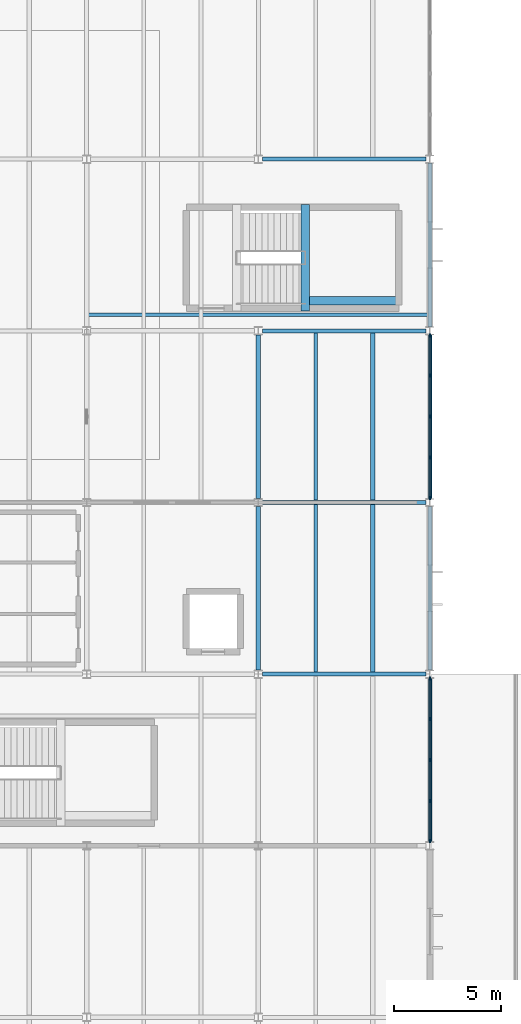
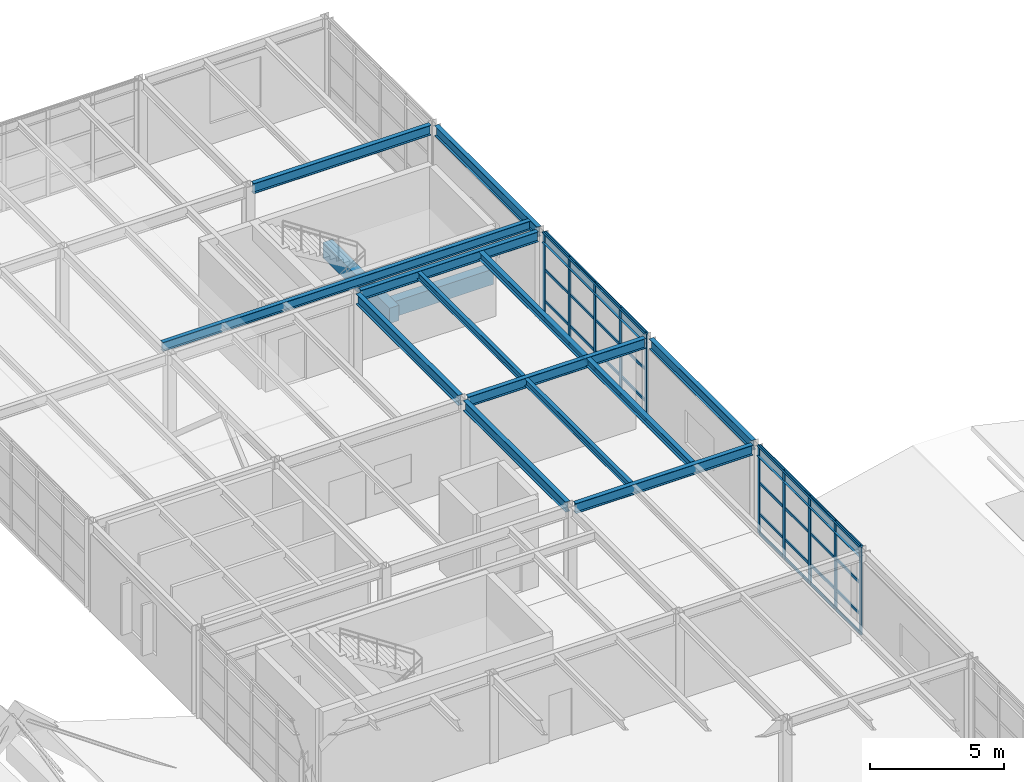
# One storey, part 29 of 50: 42 members, 17 beams, 2 elements without a shape of their own.
"""IFC4 building model written with IfcOpenShell, lengths in metres."""

from ifc_helpers import new_model, si_unit, direction, frame, origin, origin_2d, place, context, subcontext, project, spatial, rectangle, i_section, extrude, material, layer, layer_set, material_profile, profile_set, type_object, element, aggregate, save


model = new_model("IFC4")

# Units and contexts
model_context = context("Model", 3, precision=1e-05, world=origin(), true_north=direction((0.0, 1.0)))
body_context = subcontext(model_context, "Body", "Model", "MODEL_VIEW")
ifc_project = project(units=[si_unit("LENGTHUNIT", "METRE"), si_unit("AREAUNIT", "SQUARE_METRE"), si_unit("VOLUMEUNIT", "CUBIC_METRE"), si_unit("PLANEANGLEUNIT", "RADIAN"), si_unit("MASSUNIT", "GRAM", prefix="KILO")], contexts=[model_context])

# Site, building, storey
site_placement = place(None, origin())
site = spatial("IfcSite", under=ifc_project, at=site_placement, CompositionType="ELEMENT")
building_placement = place(site_placement, origin())
building = spatial("IfcBuilding", under=site, at=building_placement, Name="Varnela Railside Interchange", CompositionType="ELEMENT")
storey_placement = place(building_placement, frame((0.0, 0.0, 15.39990234375)))
storey = spatial("IfcBuildingStorey", under=building, at=storey_placement, Name="L03", CompositionType="ELEMENT", Elevation=15.39990234375)

# Beams
ifc_material_1 = material(Name="Steel AR 350 (350 MPa)", Category="steel")
ifc_material_profile_1 = material_profile(ifc_material_1, i_section(OverallWidth=0.1650390625, OverallDepth=0.31005859375, WebThickness=0.005859375, FlangeThickness=0.009765625, at=origin_2d()), Name="W310x38.7")
ifc_profile_set_1 = profile_set([ifc_material_profile_1], Name="Steel AR 350 (350 MPa)")
beam_type_1 = type_object("IfcBeamType", Name="Composite Floor Joist J-04", PredefinedType="JOIST", material=ifc_profile_set_1)
for number, where, z_axis, x_axis, name in (
    (1, (134.669921875, 62.1044921875, 3.84521484375), (0.0, 1.0, 0.0), (-1.0, 0.0, 0.0), "Composite Floor Joist J-04 (L03) (BM-2163)"),
    (2, (134.669921875, 70.1044921875, 3.84521484375), (0.0, 1.0, 0.0), (-1.0, 0.0, 0.0), "Composite Floor Joist J-04 (L03) (BM-2165)"),
):
    element("IfcBeam", number, at=place(storey_placement, frame(where, z_axis=z_axis, x_axis=x_axis)), inside=storey, type_object=beam_type_1, Name=name, PredefinedType="JOIST", context=body_context, shape_type="SweptSolid", body=[
        extrude(i_section(OverallWidth=0.1650390625, OverallDepth=0.31005859375, WebThickness=0.005859375, FlangeThickness=0.009765625, at=origin_2d()), origin(), (0.0, 0.0, 1.0), 7.791015625),
    ])
ifc_material_profile_2 = material_profile(ifc_material_1, i_section(OverallWidth=0.202880859375, OverallDepth=0.346923828125, WebThickness=0.0078125, FlangeThickness=0.013427734375, at=origin_2d()), Name="W360x64")
ifc_profile_set_2 = profile_set([ifc_material_profile_2], Name="Steel AR 350 (350 MPa)")
beam_type_2 = type_object("IfcBeamType", Name="Composite Heavy Joist J-01", PredefinedType="JOIST", material=ifc_profile_set_2)
for number, where, z_axis, x_axis, name in (
    (3, (137.330078125, 62.1044921875, 3.82666015625), (0.0, 1.0, 0.0), (-1.0, 0.0, 0.0), "Composite Heavy Joist J-01 (L03) (BM-2164)"),
    (4, (137.330078125, 70.1044921875, 3.82666015625), (0.0, 1.0, 0.0), (-1.0, 0.0, 0.0), "Composite Heavy Joist J-01 (L03) (BM-2166)"),
):
    element("IfcBeam", number, at=place(storey_placement, frame(where, z_axis=z_axis, x_axis=x_axis)), inside=storey, type_object=beam_type_2, Name=name, PredefinedType="JOIST", context=body_context, shape_type="SweptSolid", body=[
        extrude(i_section(OverallWidth=0.202880859375, OverallDepth=0.346923828125, WebThickness=0.0078125, FlangeThickness=0.013427734375, at=origin_2d()), origin(), (0.0, 0.0, 1.0), 7.791015625),
    ])
ifc_material_profile_3 = material_profile(ifc_material_1, i_section(OverallWidth=0.194091796875, OverallDepth=0.468994140625, WebThickness=0.0126953125, FlangeThickness=0.0205078125, at=origin_2d()), Name="W460x106")
ifc_profile_set_3 = profile_set([ifc_material_profile_3], Name="Steel AR 350 (350 MPa)")
beam_type_3 = type_object("IfcBeamType", Name="Composite Primary Beam B-19", PredefinedType="BEAM", material=ifc_profile_set_3)
for number, where, z_axis, x_axis, name in (
    (5, (132.0, 62.18408203125, 3.765625), (0.0, 1.0, 0.0), (-1.0, 0.0, 0.0), "Composite Primary Beam B-19 (L03) (BM-2292)"),
    (6, (132.0, 70.18408203125, 3.765625), (0.0, 1.0, 0.0), (-1.0, 0.0, 0.0), "Composite Primary Beam B-19 (L03) (BM-2293)"),
):
    element("IfcBeam", number, at=place(storey_placement, frame(where, z_axis=z_axis, x_axis=x_axis)), inside=storey, type_object=beam_type_3, Name=name, PredefinedType="BEAM", context=body_context, shape_type="SweptSolid", body=[
        extrude(i_section(OverallWidth=0.194091796875, OverallDepth=0.468994140625, WebThickness=0.0126953125, FlangeThickness=0.0205078125, at=origin_2d()), origin(), (0.0, 0.0, 1.0), 7.6318359375),
    ])
ifc_material_2 = material(Name="Concrete C40", Category="concrete")
ifc_material_profile_4 = material_profile(ifc_material_2, rectangle(XDim=0.39990234375, YDim=0.699951171875, at=origin_2d()), Name="RC 400x700")
ifc_profile_set_4 = profile_set([ifc_material_profile_4], Name="Concrete C40")
beam_type_4 = type_object("IfcBeamType", Name="Concrete Tie Beam B-01", PredefinedType="BEAM", material=ifc_profile_set_4)
beam_1_placement = place(storey_placement, frame((134.18994140625, 78.919921875, 1.590087890625), z_axis=(0.0, 1.0, 0.0), x_axis=(-1.0, 0.0, 0.0)))
element("IfcBeam", 7, at=beam_1_placement, inside=storey, type_object=beam_type_4, Name="Concrete Tie Beam B-01 (L03) (BM-2355)", PredefinedType="BEAM", context=body_context, shape_type="SweptSolid", body=[
    extrude(rectangle(XDim=0.39990234375, YDim=0.699951171875, at=origin_2d()), origin(), (0.0, 0.0, 1.0), 4.9599609375),
])
beam_2_placement = place(storey_placement, frame((134.389892578125, 79.39990234375, 1.590087890625), z_axis=(1.0, 0.0, 0.0), x_axis=(0.0, 1.0, 0.0)))
element("IfcBeam", 8, at=beam_2_placement, inside=storey, type_object=beam_type_4, Name="Concrete Tie Beam B-01 (L03) (BM-2349)", PredefinedType="BEAM", context=body_context, shape_type="SweptSolid", body=[
    extrude(rectangle(XDim=0.39990234375, YDim=0.699951171875, at=origin_2d()), origin(), (0.0, 0.0, 1.0), 4.230224609375),
])

# Curtain wall, members
ifc_material_3 = material(Name="Aluminium 6063-T6", Category="aluminium")
ifc_layer = layer(ifc_material_3, 0.035888671875)
ifc_layer_set = layer_set([ifc_layer], Name="Aluminium 6063-T6")
curtain_wall_type = type_object("IfcCurtainWallType", Name="Study Pavilion Gallery Curtain Wall CW-02", PredefinedType="USERDEFINED", material=ifc_layer_set)
curtain_wall_1_placement = place(storey_placement, origin())
curtain_wall_1 = element("IfcCurtainWall", 9, at=curtain_wall_1_placement, inside=storey, type_object=curtain_wall_type, Name="Curtain Wall CW-02 (L03) (CW-096)", ObjectType="CURTAIN WALL", PredefinedType="USERDEFINED")
ifc_material_profile_5 = material_profile(ifc_material_3, rectangle(XDim=0.06005859375, YDim=0.159912109375, at=origin_2d()), Name="ALU 60x160")
ifc_profile_set_5 = profile_set([ifc_material_profile_5], Name="Aluminium 6063-T6")
member_type_1 = type_object("IfcMemberType", Name="Curtain Wall Mullion ML-02", PredefinedType="MULLION", material=ifc_profile_set_5)
member_1_placement = place(storey_placement, frame((140.0, 77.785888671875, 0.0), z_axis=(0.0, 0.0, 1.0), x_axis=(1.0, 0.0, 0.0)))
member_1 = element("IfcMember", 10, at=member_1_placement, type_object=member_type_1, Name="CW-02 mullion 1", PredefinedType="MULLION", context=body_context, shape_type="SweptSolid", body=[
    extrude(rectangle(XDim=0.06005859375, YDim=0.159912109375, at=origin_2d()), origin(), (0.0, 0.0, 1.0), 4.0),
])
member_2_placement = place(storey_placement, frame((140.0, 75.907958984375, 0.0), z_axis=(0.0, 0.0, 1.0), x_axis=(1.0, 0.0, 0.0)))
member_2 = element("IfcMember", 11, at=member_2_placement, type_object=member_type_1, Name="CW-02 mullion 2", PredefinedType="MULLION", context=body_context, shape_type="SweptSolid", body=[
    extrude(rectangle(XDim=0.06005859375, YDim=0.159912109375, at=origin_2d()), origin(), (0.0, 0.0, 1.0), 4.0),
])
member_3_placement = place(storey_placement, frame((140.0, 74.0, 0.0), z_axis=(0.0, 0.0, 1.0), x_axis=(1.0, 0.0, 0.0)))
member_3 = element("IfcMember", 12, at=member_3_placement, type_object=member_type_1, Name="CW-02 mullion 3", PredefinedType="MULLION", context=body_context, shape_type="SweptSolid", body=[
    extrude(rectangle(XDim=0.06005859375, YDim=0.159912109375, at=origin_2d()), origin(), (0.0, 0.0, 1.0), 4.0),
])
member_4_placement = place(storey_placement, frame((140.0, 72.092041015625, 0.0), z_axis=(0.0, 0.0, 1.0), x_axis=(1.0, 0.0, 0.0)))
member_4 = element("IfcMember", 13, at=member_4_placement, type_object=member_type_1, Name="CW-02 mullion 4", PredefinedType="MULLION", context=body_context, shape_type="SweptSolid", body=[
    extrude(rectangle(XDim=0.06005859375, YDim=0.159912109375, at=origin_2d()), origin(), (0.0, 0.0, 1.0), 4.0),
])
member_5_placement = place(storey_placement, frame((140.0, 70.214111328125, 0.0), z_axis=(0.0, 0.0, 1.0), x_axis=(1.0, 0.0, 0.0)))
member_5 = element("IfcMember", 14, at=member_5_placement, type_object=member_type_1, Name="CW-02 mullion 5", PredefinedType="MULLION", context=body_context, shape_type="SweptSolid", body=[
    extrude(rectangle(XDim=0.06005859375, YDim=0.159912109375, at=origin_2d()), origin(), (0.0, 0.0, 1.0), 4.0),
])

curtain_wall_2_placement = place(storey_placement, origin())
curtain_wall_2 = element("IfcCurtainWall", 15, at=curtain_wall_2_placement, inside=storey, type_object=curtain_wall_type, Name="Curtain Wall CW-02 (L03) (CW-097)", ObjectType="CURTAIN WALL", PredefinedType="USERDEFINED")
member_6_placement = place(storey_placement, frame((140.0, 61.785888671875, 0.0), z_axis=(0.0, 0.0, 1.0), x_axis=(1.0, 0.0, 0.0)))
member_6 = element("IfcMember", 16, at=member_6_placement, type_object=member_type_1, Name="CW-02 mullion 1", PredefinedType="MULLION", context=body_context, shape_type="SweptSolid", body=[
    extrude(rectangle(XDim=0.06005859375, YDim=0.159912109375, at=origin_2d()), origin(), (0.0, 0.0, 1.0), 4.0),
])
member_7_placement = place(storey_placement, frame((140.0, 59.907958984375, 0.0), z_axis=(0.0, 0.0, 1.0), x_axis=(1.0, 0.0, 0.0)))
member_7 = element("IfcMember", 17, at=member_7_placement, type_object=member_type_1, Name="CW-02 mullion 2", PredefinedType="MULLION", context=body_context, shape_type="SweptSolid", body=[
    extrude(rectangle(XDim=0.06005859375, YDim=0.159912109375, at=origin_2d()), origin(), (0.0, 0.0, 1.0), 4.0),
])
member_8_placement = place(storey_placement, frame((140.0, 58.0, 0.0), z_axis=(0.0, 0.0, 1.0), x_axis=(1.0, 0.0, 0.0)))
member_8 = element("IfcMember", 18, at=member_8_placement, type_object=member_type_1, Name="CW-02 mullion 3", PredefinedType="MULLION", context=body_context, shape_type="SweptSolid", body=[
    extrude(rectangle(XDim=0.06005859375, YDim=0.159912109375, at=origin_2d()), origin(), (0.0, 0.0, 1.0), 4.0),
])
member_9_placement = place(storey_placement, frame((140.0, 56.092041015625, 0.0), z_axis=(0.0, 0.0, 1.0), x_axis=(1.0, 0.0, 0.0)))
member_9 = element("IfcMember", 19, at=member_9_placement, type_object=member_type_1, Name="CW-02 mullion 4", PredefinedType="MULLION", context=body_context, shape_type="SweptSolid", body=[
    extrude(rectangle(XDim=0.06005859375, YDim=0.159912109375, at=origin_2d()), origin(), (0.0, 0.0, 1.0), 4.0),
])
member_10_placement = place(storey_placement, frame((140.0, 54.214111328125, 0.0), z_axis=(0.0, 0.0, 1.0), x_axis=(1.0, 0.0, 0.0)))
member_10 = element("IfcMember", 20, at=member_10_placement, type_object=member_type_1, Name="CW-02 mullion 5", PredefinedType="MULLION", context=body_context, shape_type="SweptSolid", body=[
    extrude(rectangle(XDim=0.06005859375, YDim=0.159912109375, at=origin_2d()), origin(), (0.0, 0.0, 1.0), 4.0),
])

# Member
ifc_material_profile_6 = material_profile(ifc_material_3, rectangle(XDim=0.06005859375, YDim=0.1201171875, at=origin_2d()), Name="ALU 60x120")
ifc_profile_set_6 = profile_set([ifc_material_profile_6], Name="Aluminium 6063-T6")
member_type_2 = type_object("IfcMemberType", Name="Curtain Wall Transom TR-02", PredefinedType="USERDEFINED", material=ifc_profile_set_6)
member_11_placement = place(storey_placement, frame((140.0, 77.756103515625, 0.030029296875), z_axis=(0.0, -1.0, 0.0), x_axis=(1.0, 0.0, 0.0)))
member_11 = element("IfcMember", 21, at=member_11_placement, type_object=member_type_2, Name="CW-02 transom 1.1", ObjectType="TRANSOM", PredefinedType="USERDEFINED", context=body_context, shape_type="SweptSolid", body=[
    extrude(rectangle(XDim=0.06005859375, YDim=0.1201171875, at=origin_2d()), origin(), (0.0, 0.0, 1.0), 1.818115234375),
])

member_12_placement = place(storey_placement, frame((140.0, 77.756103515625, 0.900146484375), z_axis=(0.0, -1.0, 0.0), x_axis=(1.0, 0.0, 0.0)))
member_12 = element("IfcMember", 22, at=member_12_placement, type_object=member_type_2, Name="CW-02 transom 1.2", ObjectType="TRANSOM", PredefinedType="USERDEFINED", context=body_context, shape_type="SweptSolid", body=[
    extrude(rectangle(XDim=0.06005859375, YDim=0.1201171875, at=origin_2d()), origin(), (0.0, 0.0, 1.0), 1.818115234375),
])

member_13_placement = place(storey_placement, frame((140.0, 77.756103515625, 2.320068359375), z_axis=(0.0, -1.0, 0.0), x_axis=(1.0, 0.0, 0.0)))
member_13 = element("IfcMember", 23, at=member_13_placement, type_object=member_type_2, Name="CW-02 transom 1.3", ObjectType="TRANSOM", PredefinedType="USERDEFINED", context=body_context, shape_type="SweptSolid", body=[
    extrude(rectangle(XDim=0.06005859375, YDim=0.1201171875, at=origin_2d()), origin(), (0.0, 0.0, 1.0), 1.818115234375),
])

member_14_placement = place(storey_placement, frame((140.0, 77.756103515625, 3.97021484375), z_axis=(0.0, -1.0, 0.0), x_axis=(1.0, 0.0, 0.0)))
member_14 = element("IfcMember", 24, at=member_14_placement, type_object=member_type_2, Name="CW-02 transom 1.4", ObjectType="TRANSOM", PredefinedType="USERDEFINED", context=body_context, shape_type="SweptSolid", body=[
    extrude(rectangle(XDim=0.06005859375, YDim=0.1201171875, at=origin_2d()), origin(), (0.0, 0.0, 1.0), 1.818115234375),
])

member_15_placement = place(storey_placement, frame((140.0, 75.8779296875, 0.030029296875), z_axis=(0.0, -1.0, 0.0), x_axis=(1.0, 0.0, 0.0)))
member_15 = element("IfcMember", 25, at=member_15_placement, type_object=member_type_2, Name="CW-02 transom 2.1", ObjectType="TRANSOM", PredefinedType="USERDEFINED", context=body_context, shape_type="SweptSolid", body=[
    extrude(rectangle(XDim=0.06005859375, YDim=0.1201171875, at=origin_2d()), origin(), (0.0, 0.0, 1.0), 1.847900390625),
])

member_16_placement = place(storey_placement, frame((140.0, 75.8779296875, 0.900146484375), z_axis=(0.0, -1.0, 0.0), x_axis=(1.0, 0.0, 0.0)))
member_16 = element("IfcMember", 26, at=member_16_placement, type_object=member_type_2, Name="CW-02 transom 2.2", ObjectType="TRANSOM", PredefinedType="USERDEFINED", context=body_context, shape_type="SweptSolid", body=[
    extrude(rectangle(XDim=0.06005859375, YDim=0.1201171875, at=origin_2d()), origin(), (0.0, 0.0, 1.0), 1.847900390625),
])

member_17_placement = place(storey_placement, frame((140.0, 75.8779296875, 2.320068359375), z_axis=(0.0, -1.0, 0.0), x_axis=(1.0, 0.0, 0.0)))
member_17 = element("IfcMember", 27, at=member_17_placement, type_object=member_type_2, Name="CW-02 transom 2.3", ObjectType="TRANSOM", PredefinedType="USERDEFINED", context=body_context, shape_type="SweptSolid", body=[
    extrude(rectangle(XDim=0.06005859375, YDim=0.1201171875, at=origin_2d()), origin(), (0.0, 0.0, 1.0), 1.847900390625),
])

member_18_placement = place(storey_placement, frame((140.0, 75.8779296875, 3.97021484375), z_axis=(0.0, -1.0, 0.0), x_axis=(1.0, 0.0, 0.0)))
member_18 = element("IfcMember", 28, at=member_18_placement, type_object=member_type_2, Name="CW-02 transom 2.4", ObjectType="TRANSOM", PredefinedType="USERDEFINED", context=body_context, shape_type="SweptSolid", body=[
    extrude(rectangle(XDim=0.06005859375, YDim=0.1201171875, at=origin_2d()), origin(), (0.0, 0.0, 1.0), 1.847900390625),
])

member_19_placement = place(storey_placement, frame((140.0, 73.969970703125, 0.030029296875), z_axis=(0.0, -1.0, 0.0), x_axis=(1.0, 0.0, 0.0)))
member_19 = element("IfcMember", 29, at=member_19_placement, type_object=member_type_2, Name="CW-02 transom 3.1", ObjectType="TRANSOM", PredefinedType="USERDEFINED", context=body_context, shape_type="SweptSolid", body=[
    extrude(rectangle(XDim=0.06005859375, YDim=0.1201171875, at=origin_2d()), origin(), (0.0, 0.0, 1.0), 1.847900390625),
])

member_20_placement = place(storey_placement, frame((140.0, 73.969970703125, 0.900146484375), z_axis=(0.0, -1.0, 0.0), x_axis=(1.0, 0.0, 0.0)))
member_20 = element("IfcMember", 30, at=member_20_placement, type_object=member_type_2, Name="CW-02 transom 3.2", ObjectType="TRANSOM", PredefinedType="USERDEFINED", context=body_context, shape_type="SweptSolid", body=[
    extrude(rectangle(XDim=0.06005859375, YDim=0.1201171875, at=origin_2d()), origin(), (0.0, 0.0, 1.0), 1.847900390625),
])

member_21_placement = place(storey_placement, frame((140.0, 73.969970703125, 2.320068359375), z_axis=(0.0, -1.0, 0.0), x_axis=(1.0, 0.0, 0.0)))
member_21 = element("IfcMember", 31, at=member_21_placement, type_object=member_type_2, Name="CW-02 transom 3.3", ObjectType="TRANSOM", PredefinedType="USERDEFINED", context=body_context, shape_type="SweptSolid", body=[
    extrude(rectangle(XDim=0.06005859375, YDim=0.1201171875, at=origin_2d()), origin(), (0.0, 0.0, 1.0), 1.847900390625),
])

member_22_placement = place(storey_placement, frame((140.0, 73.969970703125, 3.97021484375), z_axis=(0.0, -1.0, 0.0), x_axis=(1.0, 0.0, 0.0)))
member_22 = element("IfcMember", 32, at=member_22_placement, type_object=member_type_2, Name="CW-02 transom 3.4", ObjectType="TRANSOM", PredefinedType="USERDEFINED", context=body_context, shape_type="SweptSolid", body=[
    extrude(rectangle(XDim=0.06005859375, YDim=0.1201171875, at=origin_2d()), origin(), (0.0, 0.0, 1.0), 1.847900390625),
])

member_23_placement = place(storey_placement, frame((140.0, 72.06201171875, 0.030029296875), z_axis=(0.0, -1.0, 0.0), x_axis=(1.0, 0.0, 0.0)))
member_23 = element("IfcMember", 33, at=member_23_placement, type_object=member_type_2, Name="CW-02 transom 4.1", ObjectType="TRANSOM", PredefinedType="USERDEFINED", context=body_context, shape_type="SweptSolid", body=[
    extrude(rectangle(XDim=0.06005859375, YDim=0.1201171875, at=origin_2d()), origin(), (0.0, 0.0, 1.0), 1.818115234375),
])

member_24_placement = place(storey_placement, frame((140.0, 72.06201171875, 0.900146484375), z_axis=(0.0, -1.0, 0.0), x_axis=(1.0, 0.0, 0.0)))
member_24 = element("IfcMember", 34, at=member_24_placement, type_object=member_type_2, Name="CW-02 transom 4.2", ObjectType="TRANSOM", PredefinedType="USERDEFINED", context=body_context, shape_type="SweptSolid", body=[
    extrude(rectangle(XDim=0.06005859375, YDim=0.1201171875, at=origin_2d()), origin(), (0.0, 0.0, 1.0), 1.818115234375),
])

member_25_placement = place(storey_placement, frame((140.0, 72.06201171875, 2.320068359375), z_axis=(0.0, -1.0, 0.0), x_axis=(1.0, 0.0, 0.0)))
member_25 = element("IfcMember", 35, at=member_25_placement, type_object=member_type_2, Name="CW-02 transom 4.3", ObjectType="TRANSOM", PredefinedType="USERDEFINED", context=body_context, shape_type="SweptSolid", body=[
    extrude(rectangle(XDim=0.06005859375, YDim=0.1201171875, at=origin_2d()), origin(), (0.0, 0.0, 1.0), 1.818115234375),
])

member_26_placement = place(storey_placement, frame((140.0, 72.06201171875, 3.97021484375), z_axis=(0.0, -1.0, 0.0), x_axis=(1.0, 0.0, 0.0)))
member_26 = element("IfcMember", 36, at=member_26_placement, type_object=member_type_2, Name="CW-02 transom 4.4", ObjectType="TRANSOM", PredefinedType="USERDEFINED", context=body_context, shape_type="SweptSolid", body=[
    extrude(rectangle(XDim=0.06005859375, YDim=0.1201171875, at=origin_2d()), origin(), (0.0, 0.0, 1.0), 1.818115234375),
])

aggregate(curtain_wall_1, [member_1, member_2, member_3, member_4, member_5, member_11, member_12, member_13, member_14, member_15, member_16, member_17, member_18, member_19, member_20, member_21, member_22, member_23, member_24, member_25, member_26])

member_27_placement = place(storey_placement, frame((140.0, 61.756103515625, 0.030029296875), z_axis=(0.0, -1.0, 0.0), x_axis=(1.0, 0.0, 0.0)))
member_27 = element("IfcMember", 37, at=member_27_placement, type_object=member_type_2, Name="CW-02 transom 1.1", ObjectType="TRANSOM", PredefinedType="USERDEFINED", context=body_context, shape_type="SweptSolid", body=[
    extrude(rectangle(XDim=0.06005859375, YDim=0.1201171875, at=origin_2d()), origin(), (0.0, 0.0, 1.0), 1.818115234375),
])

member_28_placement = place(storey_placement, frame((140.0, 61.756103515625, 0.900146484375), z_axis=(0.0, -1.0, 0.0), x_axis=(1.0, 0.0, 0.0)))
member_28 = element("IfcMember", 38, at=member_28_placement, type_object=member_type_2, Name="CW-02 transom 1.2", ObjectType="TRANSOM", PredefinedType="USERDEFINED", context=body_context, shape_type="SweptSolid", body=[
    extrude(rectangle(XDim=0.06005859375, YDim=0.1201171875, at=origin_2d()), origin(), (0.0, 0.0, 1.0), 1.818115234375),
])

member_29_placement = place(storey_placement, frame((140.0, 61.756103515625, 2.320068359375), z_axis=(0.0, -1.0, 0.0), x_axis=(1.0, 0.0, 0.0)))
member_29 = element("IfcMember", 39, at=member_29_placement, type_object=member_type_2, Name="CW-02 transom 1.3", ObjectType="TRANSOM", PredefinedType="USERDEFINED", context=body_context, shape_type="SweptSolid", body=[
    extrude(rectangle(XDim=0.06005859375, YDim=0.1201171875, at=origin_2d()), origin(), (0.0, 0.0, 1.0), 1.818115234375),
])

member_30_placement = place(storey_placement, frame((140.0, 61.756103515625, 3.97021484375), z_axis=(0.0, -1.0, 0.0), x_axis=(1.0, 0.0, 0.0)))
member_30 = element("IfcMember", 40, at=member_30_placement, type_object=member_type_2, Name="CW-02 transom 1.4", ObjectType="TRANSOM", PredefinedType="USERDEFINED", context=body_context, shape_type="SweptSolid", body=[
    extrude(rectangle(XDim=0.06005859375, YDim=0.1201171875, at=origin_2d()), origin(), (0.0, 0.0, 1.0), 1.818115234375),
])

member_31_placement = place(storey_placement, frame((140.0, 59.8779296875, 0.030029296875), z_axis=(0.0, -1.0, 0.0), x_axis=(1.0, 0.0, 0.0)))
member_31 = element("IfcMember", 41, at=member_31_placement, type_object=member_type_2, Name="CW-02 transom 2.1", ObjectType="TRANSOM", PredefinedType="USERDEFINED", context=body_context, shape_type="SweptSolid", body=[
    extrude(rectangle(XDim=0.06005859375, YDim=0.1201171875, at=origin_2d()), origin(), (0.0, 0.0, 1.0), 1.847900390625),
])

member_32_placement = place(storey_placement, frame((140.0, 59.8779296875, 0.900146484375), z_axis=(0.0, -1.0, 0.0), x_axis=(1.0, 0.0, 0.0)))
member_32 = element("IfcMember", 42, at=member_32_placement, type_object=member_type_2, Name="CW-02 transom 2.2", ObjectType="TRANSOM", PredefinedType="USERDEFINED", context=body_context, shape_type="SweptSolid", body=[
    extrude(rectangle(XDim=0.06005859375, YDim=0.1201171875, at=origin_2d()), origin(), (0.0, 0.0, 1.0), 1.847900390625),
])

member_33_placement = place(storey_placement, frame((140.0, 59.8779296875, 2.320068359375), z_axis=(0.0, -1.0, 0.0), x_axis=(1.0, 0.0, 0.0)))
member_33 = element("IfcMember", 43, at=member_33_placement, type_object=member_type_2, Name="CW-02 transom 2.3", ObjectType="TRANSOM", PredefinedType="USERDEFINED", context=body_context, shape_type="SweptSolid", body=[
    extrude(rectangle(XDim=0.06005859375, YDim=0.1201171875, at=origin_2d()), origin(), (0.0, 0.0, 1.0), 1.847900390625),
])

member_34_placement = place(storey_placement, frame((140.0, 59.8779296875, 3.97021484375), z_axis=(0.0, -1.0, 0.0), x_axis=(1.0, 0.0, 0.0)))
member_34 = element("IfcMember", 44, at=member_34_placement, type_object=member_type_2, Name="CW-02 transom 2.4", ObjectType="TRANSOM", PredefinedType="USERDEFINED", context=body_context, shape_type="SweptSolid", body=[
    extrude(rectangle(XDim=0.06005859375, YDim=0.1201171875, at=origin_2d()), origin(), (0.0, 0.0, 1.0), 1.847900390625),
])

member_35_placement = place(storey_placement, frame((140.0, 57.969970703125, 0.030029296875), z_axis=(0.0, -1.0, 0.0), x_axis=(1.0, 0.0, 0.0)))
member_35 = element("IfcMember", 45, at=member_35_placement, type_object=member_type_2, Name="CW-02 transom 3.1", ObjectType="TRANSOM", PredefinedType="USERDEFINED", context=body_context, shape_type="SweptSolid", body=[
    extrude(rectangle(XDim=0.06005859375, YDim=0.1201171875, at=origin_2d()), origin(), (0.0, 0.0, 1.0), 1.847900390625),
])

member_36_placement = place(storey_placement, frame((140.0, 57.969970703125, 0.900146484375), z_axis=(0.0, -1.0, 0.0), x_axis=(1.0, 0.0, 0.0)))
member_36 = element("IfcMember", 46, at=member_36_placement, type_object=member_type_2, Name="CW-02 transom 3.2", ObjectType="TRANSOM", PredefinedType="USERDEFINED", context=body_context, shape_type="SweptSolid", body=[
    extrude(rectangle(XDim=0.06005859375, YDim=0.1201171875, at=origin_2d()), origin(), (0.0, 0.0, 1.0), 1.847900390625),
])

member_37_placement = place(storey_placement, frame((140.0, 57.969970703125, 2.320068359375), z_axis=(0.0, -1.0, 0.0), x_axis=(1.0, 0.0, 0.0)))
member_37 = element("IfcMember", 47, at=member_37_placement, type_object=member_type_2, Name="CW-02 transom 3.3", ObjectType="TRANSOM", PredefinedType="USERDEFINED", context=body_context, shape_type="SweptSolid", body=[
    extrude(rectangle(XDim=0.06005859375, YDim=0.1201171875, at=origin_2d()), origin(), (0.0, 0.0, 1.0), 1.847900390625),
])

member_38_placement = place(storey_placement, frame((140.0, 57.969970703125, 3.97021484375), z_axis=(0.0, -1.0, 0.0), x_axis=(1.0, 0.0, 0.0)))
member_38 = element("IfcMember", 48, at=member_38_placement, type_object=member_type_2, Name="CW-02 transom 3.4", ObjectType="TRANSOM", PredefinedType="USERDEFINED", context=body_context, shape_type="SweptSolid", body=[
    extrude(rectangle(XDim=0.06005859375, YDim=0.1201171875, at=origin_2d()), origin(), (0.0, 0.0, 1.0), 1.847900390625),
])

member_39_placement = place(storey_placement, frame((140.0, 56.06201171875, 0.030029296875), z_axis=(0.0, -1.0, 0.0), x_axis=(1.0, 0.0, 0.0)))
member_39 = element("IfcMember", 49, at=member_39_placement, type_object=member_type_2, Name="CW-02 transom 4.1", ObjectType="TRANSOM", PredefinedType="USERDEFINED", context=body_context, shape_type="SweptSolid", body=[
    extrude(rectangle(XDim=0.06005859375, YDim=0.1201171875, at=origin_2d()), origin(), (0.0, 0.0, 1.0), 1.818115234375),
])

member_40_placement = place(storey_placement, frame((140.0, 56.06201171875, 0.900146484375), z_axis=(0.0, -1.0, 0.0), x_axis=(1.0, 0.0, 0.0)))
member_40 = element("IfcMember", 50, at=member_40_placement, type_object=member_type_2, Name="CW-02 transom 4.2", ObjectType="TRANSOM", PredefinedType="USERDEFINED", context=body_context, shape_type="SweptSolid", body=[
    extrude(rectangle(XDim=0.06005859375, YDim=0.1201171875, at=origin_2d()), origin(), (0.0, 0.0, 1.0), 1.818115234375),
])

member_41_placement = place(storey_placement, frame((140.0, 56.06201171875, 2.320068359375), z_axis=(0.0, -1.0, 0.0), x_axis=(1.0, 0.0, 0.0)))
member_41 = element("IfcMember", 51, at=member_41_placement, type_object=member_type_2, Name="CW-02 transom 4.3", ObjectType="TRANSOM", PredefinedType="USERDEFINED", context=body_context, shape_type="SweptSolid", body=[
    extrude(rectangle(XDim=0.06005859375, YDim=0.1201171875, at=origin_2d()), origin(), (0.0, 0.0, 1.0), 1.818115234375),
])

member_42_placement = place(storey_placement, frame((140.0, 56.06201171875, 3.97021484375), z_axis=(0.0, -1.0, 0.0), x_axis=(1.0, 0.0, 0.0)))
member_42 = element("IfcMember", 52, at=member_42_placement, type_object=member_type_2, Name="CW-02 transom 4.4", ObjectType="TRANSOM", PredefinedType="USERDEFINED", context=body_context, shape_type="SweptSolid", body=[
    extrude(rectangle(XDim=0.06005859375, YDim=0.1201171875, at=origin_2d()), origin(), (0.0, 0.0, 1.0), 1.818115234375),
])

aggregate(curtain_wall_2, [member_6, member_7, member_8, member_9, member_10, member_27, member_28, member_29, member_30, member_31, member_32, member_33, member_34, member_35, member_36, member_37, member_38, member_39, member_40, member_41, member_42])

# Beams
ifc_material_profile_7 = material_profile(ifc_material_1, i_section(OverallWidth=0.179931640625, OverallDepth=0.4130859375, WebThickness=0.009765625, FlangeThickness=0.01611328125, at=origin_2d()), Name="W410x75")
ifc_profile_set_7 = profile_set([ifc_material_profile_7], Name="Steel AR 350 (350 MPa)")
beam_type_5 = type_object("IfcBeamType", Name="Stair Trimmer Steel Beam B-22", PredefinedType="BEAM", material=ifc_profile_set_7)
beam_3_placement = place(storey_placement, frame((124.092041015625, 78.75, 3.793701171875), z_axis=(1.0, 0.0, 0.0), x_axis=(0.0, 1.0, 0.0)))
element("IfcBeam", 53, at=beam_3_placement, inside=storey, type_object=beam_type_5, Name="Stair Trimmer Steel Beam B-22 (L03) (BM-2347)", PredefinedType="BEAM", context=body_context, shape_type="SweptSolid", body=[
    extrude(i_section(OverallWidth=0.179931640625, OverallDepth=0.4130859375, WebThickness=0.009765625, FlangeThickness=0.01611328125, at=origin_2d()), origin(), (0.0, 0.0, 1.0), 15.81591796875),
])
ifc_material_profile_8 = material_profile(ifc_material_1, i_section(OverallWidth=0.19091796875, OverallDepth=0.4599609375, WebThickness=0.010009765625, FlangeThickness=0.01611328125, at=origin_2d()), Name="W460x82")
ifc_profile_set_8 = profile_set([ifc_material_profile_8], Name="Steel AR 350 (350 MPa)")
beam_type_6 = type_object("IfcBeamType", Name="Steel Perimeter Spandrel SP-01", PredefinedType="SPANDREL", material=ifc_profile_set_8)
for number, where, z_axis, x_axis, name in (
    (54, (132.1865234375, 62.0, 3.77001953125), (1.0, 0.0, 0.0), (0.0, 1.0, 0.0), "Steel Perimeter Spandrel SP-01 (L03) (BM-2239)"),
    (55, (132.1865234375, 70.0, 3.77001953125), (1.0, 0.0, 0.0), (0.0, 1.0, 0.0), "Steel Perimeter Spandrel SP-01 (L03) (BM-2245)"),
    (56, (132.1865234375, 78.0, 3.77001953125), (1.0, 0.0, 0.0), (0.0, 1.0, 0.0), "Steel Perimeter Spandrel SP-01 (L03) (BM-2252)"),
    (57, (132.1865234375, 86.0, 3.77001953125), (1.0, 0.0, 0.0), (0.0, 1.0, 0.0), "Steel Perimeter Spandrel SP-01 (L03) (BM-2261)"),
):
    element("IfcBeam", number, at=place(storey_placement, frame(where, z_axis=z_axis, x_axis=x_axis)), inside=storey, type_object=beam_type_6, Name=name, PredefinedType="SPANDREL", context=body_context, shape_type="SweptSolid", body=[
        extrude(i_section(OverallWidth=0.19091796875, OverallDepth=0.4599609375, WebThickness=0.010009765625, FlangeThickness=0.01611328125, at=origin_2d()), origin(), (0.0, 0.0, 1.0), 7.626953125),
    ])
for number, where, z_axis, x_axis, name in (
    (58, (140.0, 54.18408203125, 3.77001953125), (0.0, 1.0, 0.0), (-1.0, 0.0, 0.0), "Steel Perimeter Spandrel SP-01 (L03) (BM-2297)"),
    (59, (140.0, 62.18408203125, 3.77001953125), (0.0, 1.0, 0.0), (-1.0, 0.0, 0.0), "Steel Perimeter Spandrel SP-01 (L03) (BM-2298)"),
    (60, (140.0, 70.18408203125, 3.77001953125), (0.0, 1.0, 0.0), (-1.0, 0.0, 0.0), "Steel Perimeter Spandrel SP-01 (L03) (BM-2299)"),
    (61, (140.0, 78.18408203125, 3.77001953125), (0.0, 1.0, 0.0), (-1.0, 0.0, 0.0), "Steel Perimeter Spandrel SP-01 (L03) (BM-2300)"),
):
    element("IfcBeam", number, at=place(storey_placement, frame(where, z_axis=z_axis, x_axis=x_axis)), inside=storey, type_object=beam_type_6, Name=name, PredefinedType="SPANDREL", context=body_context, shape_type="SweptSolid", body=[
        extrude(i_section(OverallWidth=0.19091796875, OverallDepth=0.4599609375, WebThickness=0.010009765625, FlangeThickness=0.01611328125, at=origin_2d()), origin(), (0.0, 0.0, 1.0), 7.6318359375),
    ])

save(model, "model.ifc")
